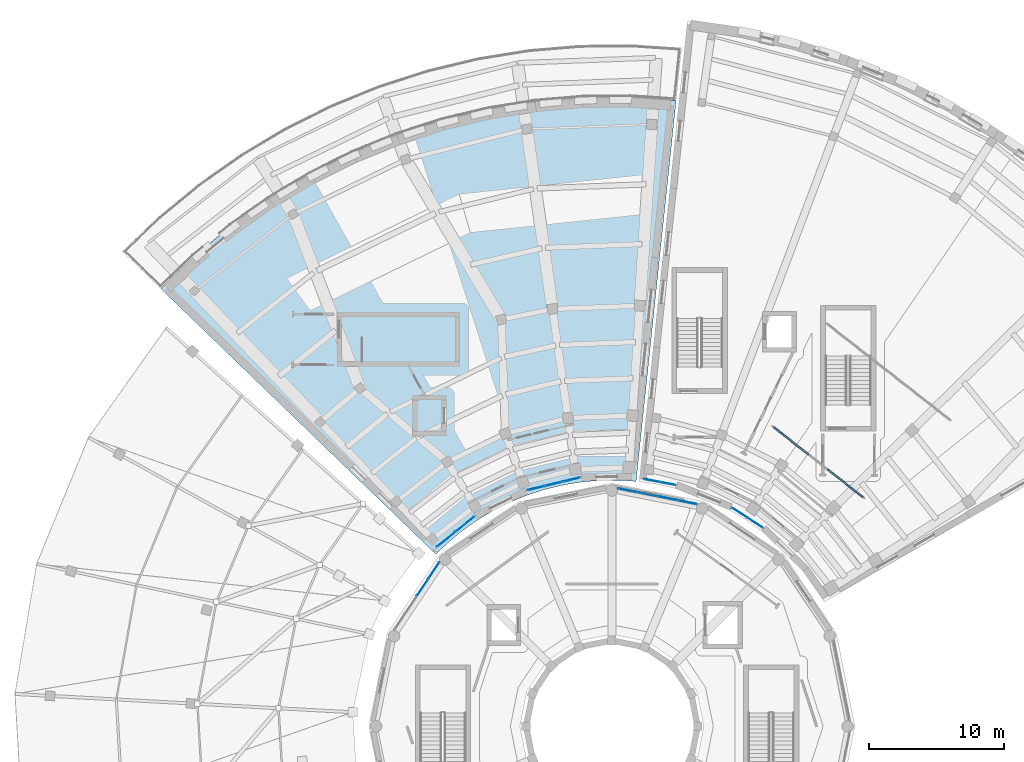
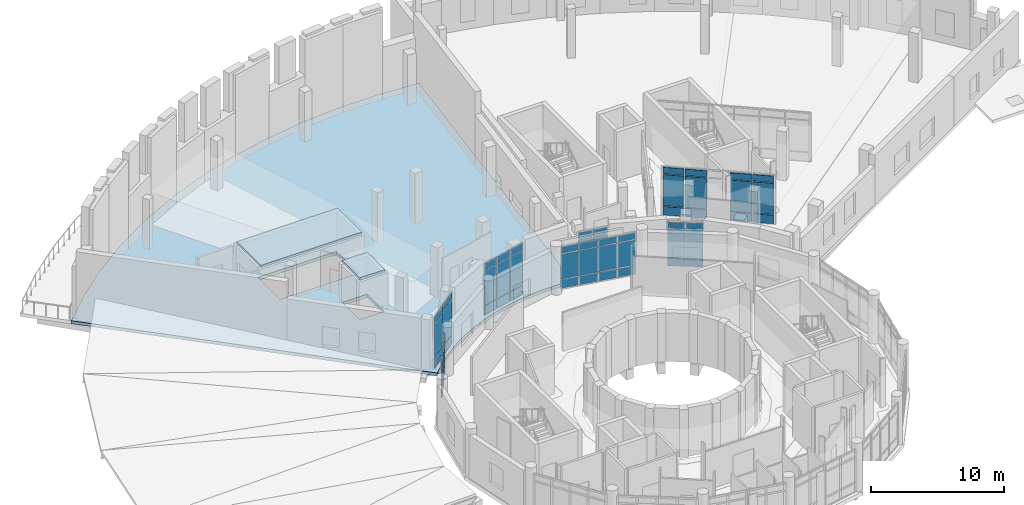
# One storey, part 25 of 49: 57 plates, 3 slabs, 7 elements without a shape of their own.
"""IFC4 building model written with IfcOpenShell, lengths in metres."""

from ifc_helpers import new_model, si_unit, direction, frame, origin, origin_2d, place, context, subcontext, project, spatial, polyline, rectangle, outline, extrude, material, layer, layer_set, type_object, element, aggregate, save


model = new_model("IFC4")

# Units and contexts
model_context = context("Model", 3, precision=1e-05, world=origin(), true_north=direction((0.0, 1.0)))
body_context = subcontext(model_context, "Body", "Model", "MODEL_VIEW")
ifc_project = project(units=[si_unit("LENGTHUNIT", "METRE"), si_unit("AREAUNIT", "SQUARE_METRE"), si_unit("VOLUMEUNIT", "CUBIC_METRE"), si_unit("PLANEANGLEUNIT", "RADIAN"), si_unit("MASSUNIT", "GRAM", prefix="KILO")], contexts=[model_context])

# Site, building, storey
site_placement = place(None, origin())
site = spatial("IfcSite", under=ifc_project, at=site_placement, CompositionType="ELEMENT")
building_placement = place(site_placement, origin())
building = spatial("IfcBuilding", under=site, at=building_placement, Name="Soyqirgoq Riverine Aquarium", CompositionType="ELEMENT")
storey_placement = place(building_placement, frame((0.0, 0.0, 15.0)))
storey = spatial("IfcBuildingStorey", under=building, at=storey_placement, Name="L04", CompositionType="ELEMENT", Elevation=15.0)

# Curtain wall, plates
ifc_material_1 = material(Name="Cast polymethyl methacrylate PMMA Habitat Viewing Glazing", Category="glass")
curtain_wall_type_1 = type_object("IfcCurtainWallType", Name="CW_Interior_TankVitrine", PredefinedType="NOTDEFINED", material=ifc_material_1)
curtain_wall_1_placement = place(storey_placement, origin())
curtain_wall_1 = element("IfcCurtainWall", 1, at=curtain_wall_1_placement, inside=storey, type_object=curtain_wall_type_1, Name="V5 L04 Curtain Wall 163", PredefinedType="NOTDEFINED")
ifc_material_2 = material(Name="Cast polymethyl methacrylate PMMA", Category="glass")
ifc_layer_1 = layer(ifc_material_2, 0.1201171875)
ifc_layer_set_1 = layer_set([ifc_layer_1], Name="Cast polymethyl methacrylate PMMA")
plate_type_1 = type_object("IfcPlateType", Name="CWAcrylicPanel_120", PredefinedType="CURTAIN_PANEL", material=ifc_layer_set_1)
plate_1_placement = place(storey_placement, frame((73.958740234375, 74.46240234375, 0.074951171875), z_axis=(0.0, 0.0, 1.0), x_axis=(-0.788011077449, 0.615661060826, 0.0)))
plate_1 = element("IfcPlate", 2, at=plate_1_placement, type_object=plate_type_1, Name="CW-07 panel 1.1", PredefinedType="CURTAIN_PANEL", context=body_context, shape_type="SweptSolid", body=[
    extrude(rectangle(XDim=1.59033203125, YDim=0.1201171875, at=origin_2d()), origin(), (0.0, 0.0, 1.0), 0.78759765625),
])
plate_2_placement = place(storey_placement, frame((73.958740234375, 74.46240234375, 0.9375), z_axis=(0.0, 0.0, 1.0), x_axis=(-0.788011077449, 0.615661060826, 0.0)))
plate_2 = element("IfcPlate", 3, at=plate_2_placement, type_object=plate_type_1, Name="CW-07 panel 1.2", PredefinedType="CURTAIN_PANEL", context=body_context, shape_type="SweptSolid", body=[
    extrude(rectangle(XDim=1.59033203125, YDim=0.1201171875, at=origin_2d()), origin(), (0.0, 0.0, 1.0), 2.844970703125),
])
plate_3_placement = place(storey_placement, frame((73.958740234375, 74.46240234375, 3.857666015625), z_axis=(0.0, 0.0, 1.0), x_axis=(-0.788011077449, 0.615661060826, 0.0)))
plate_3 = element("IfcPlate", 4, at=plate_3_placement, type_object=plate_type_1, Name="CW-07 panel 1.3", PredefinedType="CURTAIN_PANEL", context=body_context, shape_type="SweptSolid", body=[
    extrude(rectangle(XDim=1.59033203125, YDim=0.1201171875, at=origin_2d()), origin(), (0.0, 0.0, 1.0), 0.58740234375),
])
plate_4_placement = place(storey_placement, frame((72.626708984375, 75.503173828125, 0.074951171875), z_axis=(0.0, 0.0, 1.0), x_axis=(-0.788011077449, 0.615661060826, 0.0)))
plate_4 = element("IfcPlate", 5, at=plate_4_placement, type_object=plate_type_1, Name="CW-07 panel 2.1", PredefinedType="CURTAIN_PANEL", context=body_context, shape_type="SweptSolid", body=[
    extrude(rectangle(XDim=1.63037109375, YDim=0.1201171875, at=origin_2d()), origin(), (0.0, 0.0, 1.0), 0.78759765625),
])
plate_5_placement = place(storey_placement, frame((72.626708984375, 75.503173828125, 0.9375), z_axis=(0.0, 0.0, 1.0), x_axis=(-0.788011077449, 0.615661060826, 0.0)))
plate_5 = element("IfcPlate", 6, at=plate_5_placement, type_object=plate_type_1, Name="CW-07 panel 2.2", PredefinedType="CURTAIN_PANEL", context=body_context, shape_type="SweptSolid", body=[
    extrude(rectangle(XDim=1.63037109375, YDim=0.1201171875, at=origin_2d()), origin(), (0.0, 0.0, 1.0), 2.844970703125),
])
plate_6_placement = place(storey_placement, frame((72.626708984375, 75.503173828125, 3.857666015625), z_axis=(0.0, 0.0, 1.0), x_axis=(-0.788011077449, 0.615661060826, 0.0)))
plate_6 = element("IfcPlate", 7, at=plate_6_placement, type_object=plate_type_1, Name="CW-07 panel 2.3", PredefinedType="CURTAIN_PANEL", context=body_context, shape_type="SweptSolid", body=[
    extrude(rectangle(XDim=1.63037109375, YDim=0.1201171875, at=origin_2d()), origin(), (0.0, 0.0, 1.0), 0.58740234375),
])
plate_7_placement = place(storey_placement, frame((69.93115234375, 77.609130859375, 0.074951171875), z_axis=(0.0, 0.0, 1.0), x_axis=(-0.788011077449, 0.615661060826, 0.0)))
plate_7 = element("IfcPlate", 8, at=plate_7_placement, type_object=plate_type_1, Name="CW-07 panel 4.1", PredefinedType="CURTAIN_PANEL", context=body_context, shape_type="SweptSolid", body=[
    extrude(rectangle(XDim=1.63037109375, YDim=0.1201171875, at=origin_2d()), origin(), (0.0, 0.0, 1.0), 0.78759765625),
])
plate_8_placement = place(storey_placement, frame((69.93115234375, 77.609130859375, 0.9375), z_axis=(0.0, 0.0, 1.0), x_axis=(-0.788011077449, 0.615661060826, 0.0)))
plate_8 = element("IfcPlate", 9, at=plate_8_placement, type_object=plate_type_1, Name="CW-07 panel 4.2", PredefinedType="CURTAIN_PANEL", context=body_context, shape_type="SweptSolid", body=[
    extrude(rectangle(XDim=1.63037109375, YDim=0.1201171875, at=origin_2d()), origin(), (0.0, 0.0, 1.0), 2.844970703125),
])
plate_9_placement = place(storey_placement, frame((69.93115234375, 77.609130859375, 3.857666015625), z_axis=(0.0, 0.0, 1.0), x_axis=(-0.788011077449, 0.615661060826, 0.0)))
plate_9 = element("IfcPlate", 10, at=plate_9_placement, type_object=plate_type_1, Name="CW-07 panel 4.3", PredefinedType="CURTAIN_PANEL", context=body_context, shape_type="SweptSolid", body=[
    extrude(rectangle(XDim=1.63037109375, YDim=0.1201171875, at=origin_2d()), origin(), (0.0, 0.0, 1.0), 0.58740234375),
])
plate_10_placement = place(storey_placement, frame((68.59912109375, 78.64990234375, 0.074951171875), z_axis=(0.0, 0.0, 1.0), x_axis=(-0.788011077449, 0.615661060826, 0.0)))
plate_10 = element("IfcPlate", 11, at=plate_10_placement, type_object=plate_type_1, Name="CW-07 panel 5.1", PredefinedType="CURTAIN_PANEL", context=body_context, shape_type="SweptSolid", body=[
    extrude(rectangle(XDim=1.59033203125, YDim=0.1201171875, at=origin_2d()), origin(), (0.0, 0.0, 1.0), 0.78759765625),
])
plate_11_placement = place(storey_placement, frame((68.59912109375, 78.64990234375, 0.9375), z_axis=(0.0, 0.0, 1.0), x_axis=(-0.788011077449, 0.615661060826, 0.0)))
plate_11 = element("IfcPlate", 12, at=plate_11_placement, type_object=plate_type_1, Name="CW-07 panel 5.2", PredefinedType="CURTAIN_PANEL", context=body_context, shape_type="SweptSolid", body=[
    extrude(rectangle(XDim=1.59033203125, YDim=0.1201171875, at=origin_2d()), origin(), (0.0, 0.0, 1.0), 2.844970703125),
])
plate_12_placement = place(storey_placement, frame((68.59912109375, 78.64990234375, 3.857666015625), z_axis=(0.0, 0.0, 1.0), x_axis=(-0.788011077449, 0.615661060826, 0.0)))
plate_12 = element("IfcPlate", 13, at=plate_12_placement, type_object=plate_type_1, Name="CW-07 panel 5.3", PredefinedType="CURTAIN_PANEL", context=body_context, shape_type="SweptSolid", body=[
    extrude(rectangle(XDim=1.59033203125, YDim=0.1201171875, at=origin_2d()), origin(), (0.0, 0.0, 1.0), 0.58740234375),
])
aggregate(curtain_wall_1, [plate_1, plate_2, plate_3, plate_4, plate_5, plate_6, plate_7, plate_8, plate_9, plate_10, plate_11, plate_12])

ifc_material_3 = material(Name="Anodised aluminium thermally broken triple low-E glazing", Category="aluminium")
curtain_wall_type_2 = type_object("IfcCurtainWallType", Name="CW_DrumGallery_Unitised", PredefinedType="NOTDEFINED", material=ifc_material_3)
curtain_wall_2_placement = place(storey_placement, origin())
curtain_wall_2 = element("IfcCurtainWall", 14, at=curtain_wall_2_placement, inside=storey, type_object=curtain_wall_type_2, Name="V1 L04 Curtain Wall 015", PredefinedType="NOTDEFINED")
ifc_material_4 = material(Name="Triple insulated laminated low-E glass", Category="glass")
ifc_layer_2 = layer(ifc_material_4, 0.0458984375)
ifc_layer_set_2 = layer_set([ifc_layer_2], Name="Triple insulated laminated low-E glass")
plate_type_2 = type_object("IfcPlateType", Name="CWGlazedPanel_46", PredefinedType="CURTAIN_PANEL", material=ifc_layer_set_2)
plate_13_placement = place(storey_placement, frame((61.601806640625, 73.585693359375, 0.074951171875), z_axis=(0.0, 0.0, 1.0), x_axis=(-0.980783044882, 0.195101560405, 0.0)))
plate_13 = element("IfcPlate", 15, at=plate_13_placement, type_object=plate_type_2, Name="CW-01 panel 1.1", PredefinedType="CURTAIN_PANEL", context=body_context, shape_type="SweptSolid", body=[
    extrude(rectangle(XDim=1.4189453125, YDim=0.0458984375, at=origin_2d()), origin(), (0.0, 0.0, 1.0), 0.78759765625),
])
plate_14_placement = place(storey_placement, frame((61.601806640625, 73.585693359375, 0.9375), z_axis=(0.0, 0.0, 1.0), x_axis=(-0.980783044882, 0.195101560405, 0.0)))
plate_14 = element("IfcPlate", 16, at=plate_14_placement, type_object=plate_type_2, Name="CW-01 panel 1.2", PredefinedType="CURTAIN_PANEL", context=body_context, shape_type="SweptSolid", body=[
    extrude(rectangle(XDim=1.4189453125, YDim=0.0458984375, at=origin_2d()), origin(), (0.0, 0.0, 1.0), 2.27490234375),
])
plate_15_placement = place(storey_placement, frame((61.601806640625, 73.585693359375, 3.28759765625), z_axis=(0.0, 0.0, 1.0), x_axis=(-0.980783044882, 0.195101560405, 0.0)))
plate_15 = element("IfcPlate", 17, at=plate_15_placement, type_object=plate_type_2, Name="CW-01 panel 1.3", PredefinedType="CURTAIN_PANEL", context=body_context, shape_type="SweptSolid", body=[
    extrude(rectangle(XDim=1.4189453125, YDim=0.0458984375, at=origin_2d()), origin(), (0.0, 0.0, 1.0), 0.58740234375),
])
plate_16_placement = place(storey_placement, frame((60.13037109375, 73.87841796875, 0.074951171875), z_axis=(0.0, 0.0, 1.0), x_axis=(-0.980783044882, 0.195101560405, 0.0)))
plate_16 = element("IfcPlate", 18, at=plate_16_placement, type_object=plate_type_2, Name="CW-01 panel 2.1", PredefinedType="CURTAIN_PANEL", context=body_context, shape_type="SweptSolid", body=[
    extrude(rectangle(XDim=1.451416015625, YDim=0.0458984375, at=origin_2d()), origin(), (0.0, 0.0, 1.0), 0.78759765625),
])
plate_17_placement = place(storey_placement, frame((60.13037109375, 73.87841796875, 0.9375), z_axis=(0.0, 0.0, 1.0), x_axis=(-0.980783044882, 0.195101560405, 0.0)))
plate_17 = element("IfcPlate", 19, at=plate_17_placement, type_object=plate_type_2, Name="CW-01 panel 2.2", PredefinedType="CURTAIN_PANEL", context=body_context, shape_type="SweptSolid", body=[
    extrude(rectangle(XDim=1.451416015625, YDim=0.0458984375, at=origin_2d()), origin(), (0.0, 0.0, 1.0), 2.27490234375),
])
plate_18_placement = place(storey_placement, frame((60.13037109375, 73.87841796875, 3.28759765625), z_axis=(0.0, 0.0, 1.0), x_axis=(-0.980783044882, 0.195101560405, 0.0)))
plate_18 = element("IfcPlate", 20, at=plate_18_placement, type_object=plate_type_2, Name="CW-01 panel 2.3", PredefinedType="CURTAIN_PANEL", context=body_context, shape_type="SweptSolid", body=[
    extrude(rectangle(XDim=1.451416015625, YDim=0.0458984375, at=origin_2d()), origin(), (0.0, 0.0, 1.0), 0.58740234375),
])
plate_19_placement = place(storey_placement, frame((58.64306640625, 74.17431640625, 0.074951171875), z_axis=(0.0, 0.0, 1.0), x_axis=(-0.980783044882, 0.195101560405, 0.0)))
plate_19 = element("IfcPlate", 21, at=plate_19_placement, type_object=plate_type_2, Name="CW-01 panel 3.1", PredefinedType="CURTAIN_PANEL", context=body_context, shape_type="SweptSolid", body=[
    extrude(rectangle(XDim=1.451416015625, YDim=0.0458984375, at=origin_2d()), origin(), (0.0, 0.0, 1.0), 0.78759765625),
])
plate_20_placement = place(storey_placement, frame((58.64306640625, 74.17431640625, 0.9375), z_axis=(0.0, 0.0, 1.0), x_axis=(-0.980783044882, 0.195101560405, 0.0)))
plate_20 = element("IfcPlate", 22, at=plate_20_placement, type_object=plate_type_2, Name="CW-01 panel 3.2", PredefinedType="CURTAIN_PANEL", context=body_context, shape_type="SweptSolid", body=[
    extrude(rectangle(XDim=1.451416015625, YDim=0.0458984375, at=origin_2d()), origin(), (0.0, 0.0, 1.0), 2.27490234375),
])
plate_21_placement = place(storey_placement, frame((58.64306640625, 74.17431640625, 3.28759765625), z_axis=(0.0, 0.0, 1.0), x_axis=(-0.980783044882, 0.195101560405, 0.0)))
plate_21 = element("IfcPlate", 23, at=plate_21_placement, type_object=plate_type_2, Name="CW-01 panel 3.3", PredefinedType="CURTAIN_PANEL", context=body_context, shape_type="SweptSolid", body=[
    extrude(rectangle(XDim=1.451416015625, YDim=0.0458984375, at=origin_2d()), origin(), (0.0, 0.0, 1.0), 0.58740234375),
])
plate_22_placement = place(storey_placement, frame((57.171630859375, 74.467041015625, 0.074951171875), z_axis=(0.0, 0.0, 1.0), x_axis=(-0.980783044882, 0.195101560405, 0.0)))
plate_22 = element("IfcPlate", 24, at=plate_22_placement, type_object=plate_type_2, Name="CW-01 panel 4.1", PredefinedType="CURTAIN_PANEL", context=body_context, shape_type="SweptSolid", body=[
    extrude(rectangle(XDim=1.4189453125, YDim=0.0458984375, at=origin_2d()), origin(), (0.0, 0.0, 1.0), 0.78759765625),
])
plate_23_placement = place(storey_placement, frame((57.171630859375, 74.467041015625, 0.9375), z_axis=(0.0, 0.0, 1.0), x_axis=(-0.980783044882, 0.195101560405, 0.0)))
plate_23 = element("IfcPlate", 25, at=plate_23_placement, type_object=plate_type_2, Name="CW-01 panel 4.2", PredefinedType="CURTAIN_PANEL", context=body_context, shape_type="SweptSolid", body=[
    extrude(rectangle(XDim=1.4189453125, YDim=0.0458984375, at=origin_2d()), origin(), (0.0, 0.0, 1.0), 2.27490234375),
])
plate_24_placement = place(storey_placement, frame((57.171630859375, 74.467041015625, 3.28759765625), z_axis=(0.0, 0.0, 1.0), x_axis=(-0.980783044882, 0.195101560405, 0.0)))
plate_24 = element("IfcPlate", 26, at=plate_24_placement, type_object=plate_type_2, Name="CW-01 panel 4.3", PredefinedType="CURTAIN_PANEL", context=body_context, shape_type="SweptSolid", body=[
    extrude(rectangle(XDim=1.4189453125, YDim=0.0458984375, at=origin_2d()), origin(), (0.0, 0.0, 1.0), 0.58740234375),
])
aggregate(curtain_wall_2, [plate_13, plate_14, plate_15, plate_16, plate_17, plate_18, plate_19, plate_20, plate_21, plate_22, plate_23, plate_24])

curtain_wall_3_placement = place(storey_placement, origin())
curtain_wall_3 = element("IfcCurtainWall", 27, at=curtain_wall_3_placement, inside=storey, type_object=curtain_wall_type_2, Name="V1 L04 Curtain Wall 026", PredefinedType="NOTDEFINED")
plate_25_placement = place(storey_placement, frame((42.820556640625, 68.522705078125, 0.074951171875), z_axis=(0.0, 0.0, 1.0), x_axis=(-0.555578639957, -0.831463994905, 0.0)))
plate_25 = element("IfcPlate", 28, at=plate_25_placement, type_object=plate_type_2, Name="CW-01 panel 1.1", PredefinedType="CURTAIN_PANEL", context=body_context, shape_type="SweptSolid", body=[
    extrude(rectangle(XDim=1.419189453125, YDim=0.0458984375, at=origin_2d()), origin(), (0.0, 0.0, 1.0), 0.78759765625),
])
plate_26_placement = place(storey_placement, frame((42.820556640625, 68.522705078125, 0.9375), z_axis=(0.0, 0.0, 1.0), x_axis=(-0.555578639957, -0.831463994905, 0.0)))
plate_26 = element("IfcPlate", 29, at=plate_26_placement, type_object=plate_type_2, Name="CW-01 panel 1.2", PredefinedType="CURTAIN_PANEL", context=body_context, shape_type="SweptSolid", body=[
    extrude(rectangle(XDim=1.419189453125, YDim=0.0458984375, at=origin_2d()), origin(), (0.0, 0.0, 1.0), 2.27490234375),
])
plate_27_placement = place(storey_placement, frame((42.820556640625, 68.522705078125, 3.28759765625), z_axis=(0.0, 0.0, 1.0), x_axis=(-0.555578639957, -0.831463994905, 0.0)))
plate_27 = element("IfcPlate", 30, at=plate_27_placement, type_object=plate_type_2, Name="CW-01 panel 1.3", PredefinedType="CURTAIN_PANEL", context=body_context, shape_type="SweptSolid", body=[
    extrude(rectangle(XDim=1.419189453125, YDim=0.0458984375, at=origin_2d()), origin(), (0.0, 0.0, 1.0), 0.58740234375),
])
plate_28_placement = place(storey_placement, frame((41.987060546875, 67.275146484375, 0.074951171875), z_axis=(0.0, 0.0, 1.0), x_axis=(-0.555578639957, -0.831463994905, 0.0)))
plate_28 = element("IfcPlate", 31, at=plate_28_placement, type_object=plate_type_2, Name="CW-01 panel 2.1", PredefinedType="CURTAIN_PANEL", context=body_context, shape_type="SweptSolid", body=[
    extrude(rectangle(XDim=1.45166015625, YDim=0.0458984375, at=origin_2d()), origin(), (0.0, 0.0, 1.0), 0.78759765625),
])
plate_29_placement = place(storey_placement, frame((41.987060546875, 67.275146484375, 0.9375), z_axis=(0.0, 0.0, 1.0), x_axis=(-0.555578639957, -0.831463994905, 0.0)))
plate_29 = element("IfcPlate", 32, at=plate_29_placement, type_object=plate_type_2, Name="CW-01 panel 2.2", PredefinedType="CURTAIN_PANEL", context=body_context, shape_type="SweptSolid", body=[
    extrude(rectangle(XDim=1.45166015625, YDim=0.0458984375, at=origin_2d()), origin(), (0.0, 0.0, 1.0), 2.27490234375),
])
plate_30_placement = place(storey_placement, frame((41.987060546875, 67.275146484375, 3.28759765625), z_axis=(0.0, 0.0, 1.0), x_axis=(-0.555578639957, -0.831463994905, 0.0)))
plate_30 = element("IfcPlate", 33, at=plate_30_placement, type_object=plate_type_2, Name="CW-01 panel 2.3", PredefinedType="CURTAIN_PANEL", context=body_context, shape_type="SweptSolid", body=[
    extrude(rectangle(XDim=1.45166015625, YDim=0.0458984375, at=origin_2d()), origin(), (0.0, 0.0, 1.0), 0.58740234375),
])
aggregate(curtain_wall_3, [plate_25, plate_26, plate_27, plate_28, plate_29, plate_30])

ifc_material_5 = material(Name="Anodised aluminium thermally broken double low-E glazing", Category="aluminium")
curtain_wall_type_3 = type_object("IfcCurtainWallType", Name="CW_Wedge_NorthBay", PredefinedType="NOTDEFINED", material=ifc_material_5)
curtain_wall_4_placement = place(storey_placement, origin())
curtain_wall_4 = element("IfcCurtainWall", 34, at=curtain_wall_4_placement, inside=storey, type_object=curtain_wall_type_3, Name="V4 L04 Curtain Wall 092", PredefinedType="NOTDEFINED")
plate_31_placement = place(storey_placement, frame((53.010009765625, 75.25732421875, 0.074951171875), z_axis=(0.0, 0.0, 1.0), x_axis=(-0.972370572891, -0.233442646008, 0.0)))
plate_31 = element("IfcPlate", 35, at=plate_31_placement, type_object=plate_type_2, Name="CW-03 panel 1.1", PredefinedType="CURTAIN_PANEL", context=body_context, shape_type="SweptSolid", body=[
    extrude(rectangle(XDim=1.2548828125, YDim=0.0458984375, at=origin_2d()), origin(), (0.0, 0.0, 1.0), 0.78759765625),
])
plate_32_placement = place(storey_placement, frame((53.010009765625, 75.25732421875, 0.9375), z_axis=(0.0, 0.0, 1.0), x_axis=(-0.972370572891, -0.233442646008, 0.0)))
plate_32 = element("IfcPlate", 36, at=plate_32_placement, type_object=plate_type_2, Name="CW-03 panel 1.2", PredefinedType="CURTAIN_PANEL", context=body_context, shape_type="SweptSolid", body=[
    extrude(rectangle(XDim=1.2548828125, YDim=0.0458984375, at=origin_2d()), origin(), (0.0, 0.0, 1.0), 3.135009765625),
])
plate_33_placement = place(storey_placement, frame((53.010009765625, 75.25732421875, 4.1474609375), z_axis=(0.0, 0.0, 1.0), x_axis=(-0.972370572891, -0.233442646008, 0.0)))
plate_33 = element("IfcPlate", 37, at=plate_33_placement, type_object=plate_type_2, Name="CW-03 panel 1.3", PredefinedType="CURTAIN_PANEL", context=body_context, shape_type="SweptSolid", body=[
    extrude(rectangle(XDim=1.2548828125, YDim=0.0458984375, at=origin_2d()), origin(), (0.0, 0.0, 1.0), 0.58740234375),
])
plate_34_placement = place(storey_placement, frame((51.692626953125, 74.941162109375, 0.074951171875), z_axis=(0.0, 0.0, 1.0), x_axis=(-0.972370572891, -0.233442646008, 0.0)))
plate_34 = element("IfcPlate", 38, at=plate_34_placement, type_object=plate_type_2, Name="CW-03 panel 2.1", PredefinedType="CURTAIN_PANEL", context=body_context, shape_type="SweptSolid", body=[
    extrude(rectangle(XDim=1.294677734375, YDim=0.0458984375, at=origin_2d()), origin(), (0.0, 0.0, 1.0), 0.78759765625),
])
plate_35_placement = place(storey_placement, frame((51.692626953125, 74.941162109375, 0.9375), z_axis=(0.0, 0.0, 1.0), x_axis=(-0.972370572891, -0.233442646008, 0.0)))
plate_35 = element("IfcPlate", 39, at=plate_35_placement, type_object=plate_type_2, Name="CW-03 panel 2.2", PredefinedType="CURTAIN_PANEL", context=body_context, shape_type="SweptSolid", body=[
    extrude(rectangle(XDim=1.294677734375, YDim=0.0458984375, at=origin_2d()), origin(), (0.0, 0.0, 1.0), 3.135009765625),
])
plate_36_placement = place(storey_placement, frame((51.692626953125, 74.941162109375, 4.1474609375), z_axis=(0.0, 0.0, 1.0), x_axis=(-0.972370572891, -0.233442646008, 0.0)))
plate_36 = element("IfcPlate", 40, at=plate_36_placement, type_object=plate_type_2, Name="CW-03 panel 2.3", PredefinedType="CURTAIN_PANEL", context=body_context, shape_type="SweptSolid", body=[
    extrude(rectangle(XDim=1.294677734375, YDim=0.0458984375, at=origin_2d()), origin(), (0.0, 0.0, 1.0), 0.58740234375),
])
plate_37_placement = place(storey_placement, frame((50.375244140625, 74.624755859375, 0.074951171875), z_axis=(0.0, 0.0, 1.0), x_axis=(-0.972370572891, -0.233442646008, 0.0)))
plate_37 = element("IfcPlate", 41, at=plate_37_placement, type_object=plate_type_2, Name="CW-03 panel 3.1", PredefinedType="CURTAIN_PANEL", context=body_context, shape_type="SweptSolid", body=[
    extrude(rectangle(XDim=1.2548828125, YDim=0.0458984375, at=origin_2d()), origin(), (0.0, 0.0, 1.0), 0.78759765625),
])
plate_38_placement = place(storey_placement, frame((50.375244140625, 74.624755859375, 0.9375), z_axis=(0.0, 0.0, 1.0), x_axis=(-0.972370572891, -0.233442646008, 0.0)))
plate_38 = element("IfcPlate", 42, at=plate_38_placement, type_object=plate_type_2, Name="CW-03 panel 3.2", PredefinedType="CURTAIN_PANEL", context=body_context, shape_type="SweptSolid", body=[
    extrude(rectangle(XDim=1.2548828125, YDim=0.0458984375, at=origin_2d()), origin(), (0.0, 0.0, 1.0), 3.135009765625),
])
plate_39_placement = place(storey_placement, frame((50.375244140625, 74.624755859375, 4.1474609375), z_axis=(0.0, 0.0, 1.0), x_axis=(-0.972370572891, -0.233442646008, 0.0)))
plate_39 = element("IfcPlate", 43, at=plate_39_placement, type_object=plate_type_2, Name="CW-03 panel 3.3", PredefinedType="CURTAIN_PANEL", context=body_context, shape_type="SweptSolid", body=[
    extrude(rectangle(XDim=1.2548828125, YDim=0.0458984375, at=origin_2d()), origin(), (0.0, 0.0, 1.0), 0.58740234375),
])
aggregate(curtain_wall_4, [plate_31, plate_32, plate_33, plate_34, plate_35, plate_36, plate_37, plate_38, plate_39])

curtain_wall_5_placement = place(storey_placement, origin())
curtain_wall_5 = element("IfcCurtainWall", 44, at=curtain_wall_5_placement, inside=storey, type_object=curtain_wall_type_3, Name="V4 L04 Curtain Wall 093", PredefinedType="NOTDEFINED")
plate_40_placement = place(storey_placement, frame((45.126708984375, 71.960205078125, 0.074951171875), z_axis=(0.0, 0.0, 1.0), x_axis=(-0.777490671073, -0.628894471588, 0.0)))
plate_40 = element("IfcPlate", 45, at=plate_40_placement, type_object=plate_type_2, Name="CW-03 panel 1.1", PredefinedType="CURTAIN_PANEL", context=body_context, shape_type="SweptSolid", body=[
    extrude(rectangle(XDim=1.712890625, YDim=0.0458984375, at=origin_2d()), origin(), (0.0, 0.0, 1.0), 0.78759765625),
])
plate_41_placement = place(storey_placement, frame((45.126708984375, 71.960205078125, 0.9375), z_axis=(0.0, 0.0, 1.0), x_axis=(-0.777490671073, -0.628894471588, 0.0)))
plate_41 = element("IfcPlate", 46, at=plate_41_placement, type_object=plate_type_2, Name="CW-03 panel 1.2", PredefinedType="CURTAIN_PANEL", context=body_context, shape_type="SweptSolid", body=[
    extrude(rectangle(XDim=1.712890625, YDim=0.0458984375, at=origin_2d()), origin(), (0.0, 0.0, 1.0), 3.135009765625),
])
plate_42_placement = place(storey_placement, frame((45.126708984375, 71.960205078125, 4.1474609375), z_axis=(0.0, 0.0, 1.0), x_axis=(-0.777490671073, -0.628894471588, 0.0)))
plate_42 = element("IfcPlate", 47, at=plate_42_placement, type_object=plate_type_2, Name="CW-03 panel 1.3", PredefinedType="CURTAIN_PANEL", context=body_context, shape_type="SweptSolid", body=[
    extrude(rectangle(XDim=1.712890625, YDim=0.0458984375, at=origin_2d()), origin(), (0.0, 0.0, 1.0), 0.58740234375),
])
plate_43_placement = place(storey_placement, frame((43.73291015625, 70.832763671875, 0.074951171875), z_axis=(0.0, 0.0, 1.0), x_axis=(-0.777490671073, -0.628894471588, 0.0)))
plate_43 = element("IfcPlate", 48, at=plate_43_placement, type_object=plate_type_2, Name="CW-03 panel 2.1", PredefinedType="CURTAIN_PANEL", context=body_context, shape_type="SweptSolid", body=[
    extrude(rectangle(XDim=1.712890625, YDim=0.0458984375, at=origin_2d()), origin(), (0.0, 0.0, 1.0), 0.78759765625),
])
plate_44_placement = place(storey_placement, frame((43.73291015625, 70.832763671875, 0.9375), z_axis=(0.0, 0.0, 1.0), x_axis=(-0.777490671073, -0.628894471588, 0.0)))
plate_44 = element("IfcPlate", 49, at=plate_44_placement, type_object=plate_type_2, Name="CW-03 panel 2.2", PredefinedType="CURTAIN_PANEL", context=body_context, shape_type="SweptSolid", body=[
    extrude(rectangle(XDim=1.712890625, YDim=0.0458984375, at=origin_2d()), origin(), (0.0, 0.0, 1.0), 3.135009765625),
])
plate_45_placement = place(storey_placement, frame((43.73291015625, 70.832763671875, 4.1474609375), z_axis=(0.0, 0.0, 1.0), x_axis=(-0.777490671073, -0.628894471588, 0.0)))
plate_45 = element("IfcPlate", 50, at=plate_45_placement, type_object=plate_type_2, Name="CW-03 panel 2.3", PredefinedType="CURTAIN_PANEL", context=body_context, shape_type="SweptSolid", body=[
    extrude(rectangle(XDim=1.712890625, YDim=0.0458984375, at=origin_2d()), origin(), (0.0, 0.0, 1.0), 0.58740234375),
])
aggregate(curtain_wall_5, [plate_40, plate_41, plate_42, plate_43, plate_44, plate_45])

curtain_wall_6_placement = place(storey_placement, origin())
curtain_wall_6 = element("IfcCurtainWall", 51, at=curtain_wall_6_placement, inside=storey, type_object=curtain_wall_type_3, Name="V5 L04 Curtain Wall 099", PredefinedType="NOTDEFINED")
plate_46_placement = place(storey_placement, frame((66.60595703125, 72.06787109375, 0.074951171875), z_axis=(0.0, 0.0, 1.0), x_axis=(-0.838687541024, 0.544612897875, 0.0)))
plate_46 = element("IfcPlate", 52, at=plate_46_placement, type_object=plate_type_2, Name="CW-03 panel 1.1", PredefinedType="CURTAIN_PANEL", context=body_context, shape_type="SweptSolid", body=[
    extrude(rectangle(XDim=1.311767578125, YDim=0.0458984375, at=origin_2d()), origin(), (0.0, 0.0, 1.0), 0.78759765625),
])
plate_47_placement = place(storey_placement, frame((66.60595703125, 72.06787109375, 0.9375), z_axis=(0.0, 0.0, 1.0), x_axis=(-0.838687541024, 0.544612897875, 0.0)))
plate_47 = element("IfcPlate", 53, at=plate_47_placement, type_object=plate_type_2, Name="CW-03 panel 1.2", PredefinedType="CURTAIN_PANEL", context=body_context, shape_type="SweptSolid", body=[
    extrude(rectangle(XDim=1.311767578125, YDim=0.0458984375, at=origin_2d()), origin(), (0.0, 0.0, 1.0), 2.4951171875),
])
plate_48_placement = place(storey_placement, frame((66.60595703125, 72.06787109375, 3.507568359375), z_axis=(0.0, 0.0, 1.0), x_axis=(-0.838687541024, 0.544612897875, 0.0)))
plate_48 = element("IfcPlate", 54, at=plate_48_placement, type_object=plate_type_2, Name="CW-03 panel 1.3", PredefinedType="CURTAIN_PANEL", context=body_context, shape_type="SweptSolid", body=[
    extrude(rectangle(XDim=1.311767578125, YDim=0.0458984375, at=origin_2d()), origin(), (0.0, 0.0, 1.0), 0.58740234375),
])
plate_49_placement = place(storey_placement, frame((65.451171875, 72.817626953125, 0.074951171875), z_axis=(0.0, 0.0, 1.0), x_axis=(-0.838687541024, 0.544612897875, 0.0)))
plate_49 = element("IfcPlate", 55, at=plate_49_placement, type_object=plate_type_2, Name="CW-03 panel 2.1", PredefinedType="CURTAIN_PANEL", context=body_context, shape_type="SweptSolid", body=[
    extrude(rectangle(XDim=1.311767578125, YDim=0.0458984375, at=origin_2d()), origin(), (0.0, 0.0, 1.0), 0.78759765625),
])
plate_50_placement = place(storey_placement, frame((65.451171875, 72.817626953125, 0.9375), z_axis=(0.0, 0.0, 1.0), x_axis=(-0.838687541024, 0.544612897875, 0.0)))
plate_50 = element("IfcPlate", 56, at=plate_50_placement, type_object=plate_type_2, Name="CW-03 panel 2.2", PredefinedType="CURTAIN_PANEL", context=body_context, shape_type="SweptSolid", body=[
    extrude(rectangle(XDim=1.311767578125, YDim=0.0458984375, at=origin_2d()), origin(), (0.0, 0.0, 1.0), 2.4951171875),
])
plate_51_placement = place(storey_placement, frame((65.451171875, 72.817626953125, 3.507568359375), z_axis=(0.0, 0.0, 1.0), x_axis=(-0.838687541024, 0.544612897875, 0.0)))
plate_51 = element("IfcPlate", 57, at=plate_51_placement, type_object=plate_type_2, Name="CW-03 panel 2.3", PredefinedType="CURTAIN_PANEL", context=body_context, shape_type="SweptSolid", body=[
    extrude(rectangle(XDim=1.311767578125, YDim=0.0458984375, at=origin_2d()), origin(), (0.0, 0.0, 1.0), 0.58740234375),
])
aggregate(curtain_wall_6, [plate_46, plate_47, plate_48, plate_49, plate_50, plate_51])

curtain_wall_7_placement = place(storey_placement, origin())
curtain_wall_7 = element("IfcCurtainWall", 58, at=curtain_wall_7_placement, inside=storey, type_object=curtain_wall_type_3, Name="V5 L04 Curtain Wall 100", PredefinedType="NOTDEFINED")
plate_52_placement = place(storey_placement, frame((60.12158203125, 74.966796875, 0.074951171875), z_axis=(0.0, 0.0, 1.0), x_axis=(-0.982229452977, 0.187684047551, 0.0)))
plate_52 = element("IfcPlate", 59, at=plate_52_placement, type_object=plate_type_2, Name="CW-03 panel 1.1", PredefinedType="CURTAIN_PANEL", context=body_context, shape_type="SweptSolid", body=[
    extrude(rectangle(XDim=1.131591796875, YDim=0.0458984375, at=origin_2d()), origin(), (0.0, 0.0, 1.0), 0.78759765625),
])
plate_53_placement = place(storey_placement, frame((60.12158203125, 74.966796875, 0.9375), z_axis=(0.0, 0.0, 1.0), x_axis=(-0.982229452977, 0.187684047551, 0.0)))
plate_53 = element("IfcPlate", 60, at=plate_53_placement, type_object=plate_type_2, Name="CW-03 panel 1.2", PredefinedType="CURTAIN_PANEL", context=body_context, shape_type="SweptSolid", body=[
    extrude(rectangle(XDim=1.131591796875, YDim=0.0458984375, at=origin_2d()), origin(), (0.0, 0.0, 1.0), 2.4951171875),
])
plate_54_placement = place(storey_placement, frame((60.12158203125, 74.966796875, 3.507568359375), z_axis=(0.0, 0.0, 1.0), x_axis=(-0.982229452977, 0.187684047551, 0.0)))
plate_54 = element("IfcPlate", 61, at=plate_54_placement, type_object=plate_type_2, Name="CW-03 panel 1.3", PredefinedType="CURTAIN_PANEL", context=body_context, shape_type="SweptSolid", body=[
    extrude(rectangle(XDim=1.131591796875, YDim=0.0458984375, at=origin_2d()), origin(), (0.0, 0.0, 1.0), 0.58740234375),
])
plate_55_placement = place(storey_placement, frame((58.946044921875, 75.19140625, 0.074951171875), z_axis=(0.0, 0.0, 1.0), x_axis=(-0.982229452977, 0.187684047551, 0.0)))
plate_55 = element("IfcPlate", 62, at=plate_55_placement, type_object=plate_type_2, Name="CW-03 panel 2.1", PredefinedType="CURTAIN_PANEL", context=body_context, shape_type="SweptSolid", body=[
    extrude(rectangle(XDim=1.131591796875, YDim=0.0458984375, at=origin_2d()), origin(), (0.0, 0.0, 1.0), 0.78759765625),
])
plate_56_placement = place(storey_placement, frame((58.946044921875, 75.19140625, 0.9375), z_axis=(0.0, 0.0, 1.0), x_axis=(-0.982229452977, 0.187684047551, 0.0)))
plate_56 = element("IfcPlate", 63, at=plate_56_placement, type_object=plate_type_2, Name="CW-03 panel 2.2", PredefinedType="CURTAIN_PANEL", context=body_context, shape_type="SweptSolid", body=[
    extrude(rectangle(XDim=1.131591796875, YDim=0.0458984375, at=origin_2d()), origin(), (0.0, 0.0, 1.0), 2.4951171875),
])
plate_57_placement = place(storey_placement, frame((58.946044921875, 75.19140625, 3.507568359375), z_axis=(0.0, 0.0, 1.0), x_axis=(-0.982229452977, 0.187684047551, 0.0)))
plate_57 = element("IfcPlate", 64, at=plate_57_placement, type_object=plate_type_2, Name="CW-03 panel 2.3", PredefinedType="CURTAIN_PANEL", context=body_context, shape_type="SweptSolid", body=[
    extrude(rectangle(XDim=1.131591796875, YDim=0.0458984375, at=origin_2d()), origin(), (0.0, 0.0, 1.0), 0.58740234375),
])
aggregate(curtain_wall_7, [plate_52, plate_53, plate_54, plate_55, plate_56, plate_57])

# Slabs
ifc_material_6 = material(Name="Concrete C35/45", Category="concrete")
ifc_layer_3 = layer(ifc_material_6, 0.25)
ifc_layer_set_3 = layer_set([ifc_layer_3], Name="Concrete C35/45")
slab_type_1 = type_object("IfcSlabType", Name="FloorSlab_250_C35", PredefinedType="FLOOR", material=ifc_layer_set_3)
slab_1_placement = place(storey_placement, frame((0.0, 0.0, 3.60009765625)))
element("IfcSlab", 65, at=slab_1_placement, inside=storey, type_object=slab_type_1, Name="Lift PL-3 Shaft Overrun Cap Slab", PredefinedType="FLOOR", context=body_context, shape_type="SweptSolid", body=[
    extrude(outline(polyline([(41.419921875, 78.669921875), (43.580078125, 78.669921875), (43.580078125, 81.330078125), (41.419921875, 81.330078125), (41.419921875, 78.669921875)])), origin(), (0.0, 0.0, 1.0), 0.25),
])
ifc_material_7 = material(Name="Concrete C35/45", Category="concrete")
ifc_layer_4 = layer(ifc_material_7, 0.280029296875)
ifc_layer_set_4 = layer_set([ifc_layer_4], Name="Concrete C35/45")
slab_type_2 = type_object("IfcSlabType", Name="FloorSlab_280_C35", PredefinedType="FLOOR", material=ifc_layer_set_4)
slab_2_placement = place(storey_placement, frame((0.0, 0.0, -0.280029296875)))
element("IfcSlab", 66, at=slab_2_placement, inside=storey, type_object=slab_type_2, Name="V4 L04 Suspended Floor Slab", PredefinedType="FLOOR", context=body_context, shape_type="SweptSolid", body=[
    extrude(outline(polyline([(55.15234375, 75.2001953125), (55.91259765625, 75.206787109375), (56.0, 75.224365234375), (56.080078125, 75.20849609375), (56.52978515625, 75.21240234375), (57.794677734375, 75.127685546875), (60.756103515625, 103.302490234375), (57.35400390625, 103.5302734375), (53.834228515625, 103.49951171875), (50.326904296875, 103.202880859375), (46.852294921875, 102.642333984375), (43.4296875, 101.820556640625), (40.0791015625, 100.74267578125), (36.8193359375, 99.414794921875), (33.66943359375, 97.84423828125), (30.647216796875, 96.0400390625), (27.769775390625, 94.012939453125), (25.0537109375, 91.77392578125), (22.593994140625, 89.41259765625), (42.972900390625, 69.73291015625), (43.07861328125, 69.834228515625), (43.113525390625, 69.886474609375), (43.177490234375, 69.92919921875), (43.887451171875, 70.61083984375), (44.950439453125, 71.487060546875), (46.07666015625, 72.280517578125), (47.259521484375, 72.98681640625), (48.492431640625, 73.601318359375), (48.95556640625, 73.7900390625), (49.02587890625, 73.8369140625), (49.114013671875, 73.8544921875), (49.768310546875, 74.12109375), (51.079833984375, 74.543212890625), (52.41943359375, 74.86474609375), (53.779541015625, 75.084228515625), (55.15234375, 75.2001953125)]), holes=[polyline([(37.574951171875, 84.0), (44.39990234375, 84.0), (44.39990234375, 87.300048828125), (37.574951171875, 87.300048828125), (37.574951171875, 84.0)]), polyline([(41.449951171875, 78.699951171875), (43.550048828125, 78.699951171875), (43.550048828125, 81.300048828125), (41.449951171875, 81.300048828125), (41.449951171875, 78.699951171875)])]), origin(), (0.0, 0.0, 1.0), 0.280029296875),
])
ifc_material_8 = material(Name="Concrete C35/45", Category="concrete")
ifc_layer_5 = layer(ifc_material_8, 0.219970703125)
ifc_layer_set_5 = layer_set([ifc_layer_5], Name="Concrete C35/45")
slab_type_3 = type_object("IfcSlabType", Name="PrairieRoof_220_C35", PredefinedType="ROOF", material=ifc_layer_set_5)
slab_3_placement = place(storey_placement, frame((0.0, 0.0, 3.60009765625)))
element("IfcSlab", 67, at=slab_3_placement, inside=storey, type_object=slab_type_3, Name="CORE-4 L04 Stairwell Overrun Roof Slab", PredefinedType="ROOF", context=body_context, shape_type="SweptSolid", body=[
    extrude(outline(polyline([(35.824951171875, 83.824951171875), (44.574951171875, 83.824951171875), (44.574951171875, 87.47509765625), (35.824951171875, 87.47509765625), (35.824951171875, 83.824951171875)])), origin(), (0.0, 0.0, 1.0), 0.219970703125),
])

save(model, "model.ifc")
